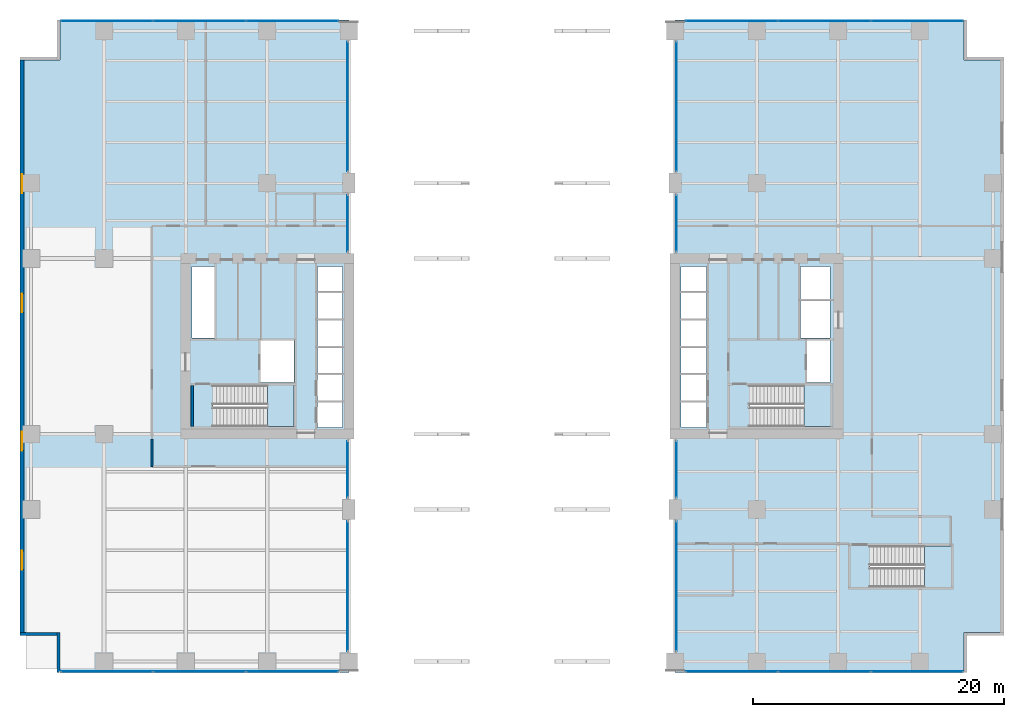
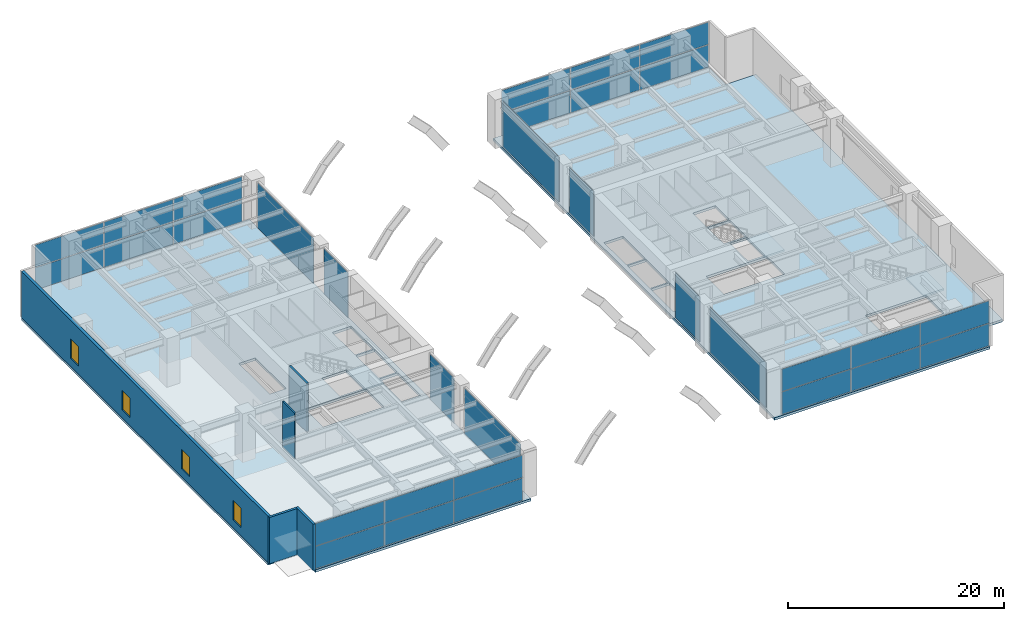
# One storey, part 10 of 18: 32 plates, 5 slabs, 5 walls, 4 windows, 4 openings, 15 elements without a shape of their own.
"""IFC4 building model written with IfcOpenShell, lengths in metres."""

from ifc_helpers import new_model, si_unit, direction, frame, frame_2d, origin, origin_2d, place, context, subcontext, project, spatial, polyline, rectangle, outline, extrude, material, layer, layer_set, type_object, element, fill, aggregate, save


model = new_model("IFC4")

# Units and contexts
model_context = context("Model", 3, precision=1e-05, world=origin(), true_north=direction((0.0, 1.0)))
body_context = subcontext(model_context, "Body", "Model", "MODEL_VIEW")
ifc_project = project(units=[si_unit("LENGTHUNIT", "METRE"), si_unit("AREAUNIT", "SQUARE_METRE"), si_unit("VOLUMEUNIT", "CUBIC_METRE"), si_unit("PLANEANGLEUNIT", "RADIAN"), si_unit("MASSUNIT", "GRAM", prefix="KILO")], contexts=[model_context])

# Site, building, storey
site_placement = place(None, origin())
site = spatial("IfcSite", under=ifc_project, at=site_placement, CompositionType="ELEMENT")
building_placement = place(site_placement, origin())
building = spatial("IfcBuilding", under=site, at=building_placement, Name="Putna Gate Headquarters", CompositionType="ELEMENT")
storey_placement = place(building_placement, frame((0.0, 0.0, 11.5)))
storey = spatial("IfcBuildingStorey", under=building, at=storey_placement, Name="L02", CompositionType="ELEMENT", Elevation=11.5)

# Stair, slab
ifc_material_1 = material(Name="Concrete C40/50", Category="concrete")
stair_type_1 = type_object("IfcStairType", Name="STAIR-ST1", PredefinedType="HALF_TURN_STAIR", material=ifc_material_1)
stair_1_placement = place(storey_placement, origin())
stair_1 = element("IfcStair", 1, at=stair_1_placement, inside=storey, type_object=stair_type_1, Name="L02 West Core Exit Stair ST1", PredefinedType="HALF_TURN_STAIR")
ifc_layer_1 = layer(ifc_material_1, 0.199951171875)
ifc_layer_set_1 = layer_set([ifc_layer_1], Name="Concrete C40/50")
slab_type_1 = type_object("IfcSlabType", Name="LANDING-ST1", PredefinedType="LANDING", material=ifc_layer_set_1)
slab_1_placement = place(storey_placement, frame((0.0, 0.0, 2.550048828125)))
slab_1 = element("IfcSlab", 2, at=slab_1_placement, type_object=slab_type_1, Name="ST1 landing 1", PredefinedType="LANDING", context=body_context, shape_type="SweptSolid", body=[
    extrude(outline(polyline([(19.5, 19.60009765625), (21.64990234375, 19.60009765625), (21.64990234375, 22.89990234375), (19.5, 22.89990234375), (19.5, 19.60009765625)])), origin(), (0.0, 0.0, 1.0), 0.199951171875),
])
aggregate(stair_1, [slab_1])

stair_type_2 = type_object("IfcStairType", Name="STAIR-ST2", PredefinedType="HALF_TURN_STAIR", material=ifc_material_1)
stair_2_placement = place(storey_placement, origin())
stair_2 = element("IfcStair", 3, at=stair_2_placement, inside=storey, type_object=stair_type_2, Name="L02 East Core Exit Stair ST2", PredefinedType="HALF_TURN_STAIR")
ifc_layer_2 = layer(ifc_material_1, 0.199951171875)
ifc_layer_set_2 = layer_set([ifc_layer_2], Name="Concrete C40/50")
slab_type_2 = type_object("IfcSlabType", Name="LANDING-ST2", PredefinedType="LANDING", material=ifc_layer_set_2)
slab_2_placement = place(storey_placement, frame((0.0, 0.0, 2.550048828125)))
slab_2 = element("IfcSlab", 4, at=slab_2_placement, type_object=slab_type_2, Name="ST2 landing 1", PredefinedType="LANDING", context=body_context, shape_type="SweptSolid", body=[
    extrude(outline(polyline([(62.25, 19.60009765625), (64.39990234375, 19.60009765625), (64.39990234375, 22.89990234375), (62.25, 22.89990234375), (62.25, 19.60009765625)])), origin(), (0.0, 0.0, 1.0), 0.199951171875),
])
aggregate(stair_2, [slab_2])

stair_type_3 = type_object("IfcStairType", Name="STAIR-ST3", PredefinedType="HALF_TURN_STAIR", material=ifc_material_1)
stair_3_placement = place(storey_placement, origin())
stair_3 = element("IfcStair", 5, at=stair_3_placement, inside=storey, type_object=stair_type_3, Name="L02 Podium Escape Stair ST3", PredefinedType="HALF_TURN_STAIR")
ifc_layer_3 = layer(ifc_material_1, 0.199951171875)
ifc_layer_set_3 = layer_set([ifc_layer_3], Name="Concrete C40/50")
slab_type_3 = type_object("IfcSlabType", Name="LANDING-ST3", PredefinedType="LANDING", material=ifc_layer_set_3)
slab_3_placement = place(storey_placement, frame((0.0, 0.0, 2.550048828125)))
slab_3 = element("IfcSlab", 6, at=slab_3_placement, type_object=slab_type_3, Name="ST3 landing 1", PredefinedType="LANDING", context=body_context, shape_type="SweptSolid", body=[
    extrude(outline(polyline([(71.85009765625, 6.800048828125), (74.0, 6.800048828125), (74.0, 10.10009765625), (71.85009765625, 10.10009765625), (71.85009765625, 6.800048828125)])), origin(), (0.0, 0.0, 1.0), 0.199951171875),
])
aggregate(stair_3, [slab_3])

# Curtain wall, plate
ifc_material_2 = material(Name="Anodised bronze aluminium curtain wall", Category="aluminium")
ifc_layer_4 = layer(ifc_material_2, 0.179931640625)
ifc_layer_set_4 = layer_set([ifc_layer_4], Name="Anodised bronze aluminium curtain wall")
curtain_wall_type_1 = type_object("IfcCurtainWallType", Name="CW-SYS-ATR", PredefinedType="USERDEFINED", material=ifc_layer_set_4)
curtain_wall_1_placement = place(storey_placement, origin())
curtain_wall_1 = element("IfcCurtainWall", 7, at=curtain_wall_1_placement, inside=storey, type_object=curtain_wall_type_1, Name="L02 Arch Flank Glazing W-S1", ObjectType="ATRIUM GLAZING", PredefinedType="USERDEFINED")
ifc_material_3 = material(Name="Clear low-iron triple glazing", Category="glass")
ifc_layer_5 = layer(ifc_material_3, 0.0400390625)
ifc_layer_set_5 = layer_set([ifc_layer_5], Name="Clear low-iron triple glazing")
plate_type_1 = type_object("IfcPlateType", Name="PAN-CWP-AT", PredefinedType="CURTAIN_PANEL", material=ifc_layer_set_5)
plate_1_placement = place(storey_placement, frame((25.89990234375, 6.885009765625, 0.070068359375), z_axis=(0.0, 0.0, 1.0), x_axis=(0.0, 1.0, 0.0)))
plate_1 = element("IfcPlate", 8, at=plate_1_placement, type_object=plate_type_1, Name="CWS-AT panel 1.1", PredefinedType="CURTAIN_PANEL", context=body_context, shape_type="SweptSolid", body=[
    extrude(rectangle(XDim=10.330078125, YDim=0.0400390625, at=origin_2d()), origin(), (0.0, 0.0, 1.0), 5.080078125),
])
aggregate(curtain_wall_1, [plate_1])

curtain_wall_2_placement = place(storey_placement, origin())
curtain_wall_2 = element("IfcCurtainWall", 9, at=curtain_wall_2_placement, inside=storey, type_object=curtain_wall_type_1, Name="L02 Arch Flank Glazing W-S2", ObjectType="ATRIUM GLAZING", PredefinedType="USERDEFINED")
plate_2_placement = place(storey_placement, frame((25.89990234375, 16.199951171875, 0.070068359375), z_axis=(0.0, 0.0, 1.0), x_axis=(0.0, 1.0, 0.0)))
plate_2 = element("IfcPlate", 10, at=plate_2_placement, type_object=plate_type_1, Name="CWS-AT panel 1.1", PredefinedType="CURTAIN_PANEL", context=body_context, shape_type="SweptSolid", body=[
    extrude(rectangle(XDim=4.5, YDim=0.0400390625, at=origin_2d()), origin(), (0.0, 0.0, 1.0), 5.080078125),
])
aggregate(curtain_wall_2, [plate_2])

curtain_wall_3_placement = place(storey_placement, origin())
curtain_wall_3 = element("IfcCurtainWall", 11, at=curtain_wall_3_placement, inside=storey, type_object=curtain_wall_type_1, Name="L02 Arch Flank Glazing W-N1", ObjectType="ATRIUM GLAZING", PredefinedType="USERDEFINED")
plate_3_placement = place(storey_placement, frame((25.89990234375, 35.800048828125, 0.070068359375), z_axis=(0.0, 0.0, 1.0), x_axis=(0.0, 1.0, 0.0)))
plate_3 = element("IfcPlate", 12, at=plate_3_placement, type_object=plate_type_1, Name="CWS-AT panel 1.1", PredefinedType="CURTAIN_PANEL", context=body_context, shape_type="SweptSolid", body=[
    extrude(rectangle(XDim=4.5, YDim=0.0400390625, at=origin_2d()), origin(), (0.0, 0.0, 1.0), 5.080078125),
])
aggregate(curtain_wall_3, [plate_3])

curtain_wall_4_placement = place(storey_placement, origin())
curtain_wall_4 = element("IfcCurtainWall", 13, at=curtain_wall_4_placement, inside=storey, type_object=curtain_wall_type_1, Name="L02 Arch Flank Glazing W-N2", ObjectType="ATRIUM GLAZING", PredefinedType="USERDEFINED")
plate_4_placement = place(storey_placement, frame((25.89990234375, 45.114990234375, 0.070068359375), z_axis=(0.0, 0.0, 1.0), x_axis=(0.0, 1.0, 0.0)))
plate_4 = element("IfcPlate", 14, at=plate_4_placement, type_object=plate_type_1, Name="CWS-AT panel 1.1", PredefinedType="CURTAIN_PANEL", context=body_context, shape_type="SweptSolid", body=[
    extrude(rectangle(XDim=10.330078125, YDim=0.0400390625, at=origin_2d()), origin(), (0.0, 0.0, 1.0), 5.080078125),
])
aggregate(curtain_wall_4, [plate_4])

curtain_wall_5_placement = place(storey_placement, origin())
curtain_wall_5 = element("IfcCurtainWall", 15, at=curtain_wall_5_placement, inside=storey, type_object=curtain_wall_type_1, Name="L02 Arch Flank Glazing E-S1", ObjectType="ATRIUM GLAZING", PredefinedType="USERDEFINED")
plate_5_placement = place(storey_placement, frame((52.10009765625, 6.885009765625, 0.070068359375), z_axis=(0.0, 0.0, 1.0), x_axis=(0.0, 1.0, 0.0)))
plate_5 = element("IfcPlate", 16, at=plate_5_placement, type_object=plate_type_1, Name="CWS-AT panel 1.1", PredefinedType="CURTAIN_PANEL", context=body_context, shape_type="SweptSolid", body=[
    extrude(rectangle(XDim=10.330078125, YDim=0.0400390625, at=origin_2d()), origin(), (0.0, 0.0, 1.0), 5.080078125),
])
aggregate(curtain_wall_5, [plate_5])

curtain_wall_6_placement = place(storey_placement, origin())
curtain_wall_6 = element("IfcCurtainWall", 17, at=curtain_wall_6_placement, inside=storey, type_object=curtain_wall_type_1, Name="L02 Arch Flank Glazing E-S2", ObjectType="ATRIUM GLAZING", PredefinedType="USERDEFINED")
plate_6_placement = place(storey_placement, frame((52.10009765625, 16.199951171875, 0.070068359375), z_axis=(0.0, 0.0, 1.0), x_axis=(0.0, 1.0, 0.0)))
plate_6 = element("IfcPlate", 18, at=plate_6_placement, type_object=plate_type_1, Name="CWS-AT panel 1.1", PredefinedType="CURTAIN_PANEL", context=body_context, shape_type="SweptSolid", body=[
    extrude(rectangle(XDim=4.5, YDim=0.0400390625, at=origin_2d()), origin(), (0.0, 0.0, 1.0), 5.080078125),
])
aggregate(curtain_wall_6, [plate_6])

curtain_wall_7_placement = place(storey_placement, origin())
curtain_wall_7 = element("IfcCurtainWall", 19, at=curtain_wall_7_placement, inside=storey, type_object=curtain_wall_type_1, Name="L02 Arch Flank Glazing E-N1", ObjectType="ATRIUM GLAZING", PredefinedType="USERDEFINED")
plate_7_placement = place(storey_placement, frame((52.10009765625, 35.800048828125, 0.070068359375), z_axis=(0.0, 0.0, 1.0), x_axis=(0.0, 1.0, 0.0)))
plate_7 = element("IfcPlate", 20, at=plate_7_placement, type_object=plate_type_1, Name="CWS-AT panel 1.1", PredefinedType="CURTAIN_PANEL", context=body_context, shape_type="SweptSolid", body=[
    extrude(rectangle(XDim=4.5, YDim=0.0400390625, at=origin_2d()), origin(), (0.0, 0.0, 1.0), 5.080078125),
])
aggregate(curtain_wall_7, [plate_7])

curtain_wall_8_placement = place(storey_placement, origin())
curtain_wall_8 = element("IfcCurtainWall", 21, at=curtain_wall_8_placement, inside=storey, type_object=curtain_wall_type_1, Name="L02 Arch Flank Glazing E-N2", ObjectType="ATRIUM GLAZING", PredefinedType="USERDEFINED")
plate_8_placement = place(storey_placement, frame((52.10009765625, 45.114990234375, 0.070068359375), z_axis=(0.0, 0.0, 1.0), x_axis=(0.0, 1.0, 0.0)))
plate_8 = element("IfcPlate", 22, at=plate_8_placement, type_object=plate_type_1, Name="CWS-AT panel 1.1", PredefinedType="CURTAIN_PANEL", context=body_context, shape_type="SweptSolid", body=[
    extrude(rectangle(XDim=10.330078125, YDim=0.0400390625, at=origin_2d()), origin(), (0.0, 0.0, 1.0), 5.080078125),
])
aggregate(curtain_wall_8, [plate_8])

# Curtain wall, plates
ifc_layer_6 = layer(ifc_material_2, 0.179931640625)
ifc_layer_set_6 = layer_set([ifc_layer_6], Name="Anodised bronze aluminium curtain wall")
curtain_wall_type_2 = type_object("IfcCurtainWallType", Name="CW-SYS-POD", PredefinedType="USERDEFINED", material=ifc_layer_set_6)
curtain_wall_9_placement = place(storey_placement, origin())
curtain_wall_9 = element("IfcCurtainWall", 23, at=curtain_wall_9_placement, inside=storey, type_object=curtain_wall_type_2, Name="L02 South West Curtain Wall", ObjectType="STICK CURTAIN WALL", PredefinedType="USERDEFINED")
ifc_material_4 = material(Name="Solar-control triple low-E glass", Category="glass")
ifc_layer_7 = layer(ifc_material_4, 0.035888671875)
ifc_layer_set_7 = layer_set([ifc_layer_7], Name="Solar-control triple low-E glass")
plate_type_2 = type_object("IfcPlateType", Name="PAN-CWP-P", PredefinedType="CURTAIN_PANEL", material=ifc_layer_set_7)
plate_9_placement = place(storey_placement, frame((6.720947265625, 0.080078125, 0.070068359375), z_axis=(0.0, 0.0, 1.0), x_axis=(1.0, 0.0, 0.0)))
plate_9 = element("IfcPlate", 24, at=plate_9_placement, type_object=plate_type_2, Name="CWS-P panel 1.1", PredefinedType="CURTAIN_PANEL", context=body_context, shape_type="SweptSolid", body=[
    extrude(rectangle(XDim=7.3017578125, YDim=0.035888671875, at=origin_2d()), origin(), (0.0, 0.0, 1.0), 2.5048828125),
])
plate_10_placement = place(storey_placement, frame((6.720947265625, 0.080078125, 2.64501953125), z_axis=(0.0, 0.0, 1.0), x_axis=(1.0, 0.0, 0.0)))
plate_10 = element("IfcPlate", 25, at=plate_10_placement, type_object=plate_type_2, Name="CWS-P panel 1.2", PredefinedType="CURTAIN_PANEL", context=body_context, shape_type="SweptSolid", body=[
    extrude(rectangle(XDim=7.3017578125, YDim=0.035888671875, at=origin_2d()), origin(), (0.0, 0.0, 1.0), 2.5048828125),
])
plate_11_placement = place(storey_placement, frame((14.110107421875, 0.080078125, 0.070068359375), z_axis=(0.0, 0.0, 1.0), x_axis=(1.0, 0.0, 0.0)))
plate_11 = element("IfcPlate", 26, at=plate_11_placement, type_object=plate_type_2, Name="CWS-P panel 2.1", PredefinedType="CURTAIN_PANEL", context=body_context, shape_type="SweptSolid", body=[
    extrude(rectangle(XDim=7.336669921875, YDim=0.035888671875, at=origin_2d()), origin(), (0.0, 0.0, 1.0), 2.5048828125),
])
plate_12_placement = place(storey_placement, frame((14.110107421875, 0.080078125, 2.64501953125), z_axis=(0.0, 0.0, 1.0), x_axis=(1.0, 0.0, 0.0)))
plate_12 = element("IfcPlate", 27, at=plate_12_placement, type_object=plate_type_2, Name="CWS-P panel 2.2", PredefinedType="CURTAIN_PANEL", context=body_context, shape_type="SweptSolid", body=[
    extrude(rectangle(XDim=7.336669921875, YDim=0.035888671875, at=origin_2d()), origin(), (0.0, 0.0, 1.0), 2.5048828125),
])
plate_13_placement = place(storey_placement, frame((21.499267578125, 0.080078125, 0.070068359375), z_axis=(0.0, 0.0, 1.0), x_axis=(1.0, 0.0, 0.0)))
plate_13 = element("IfcPlate", 28, at=plate_13_placement, type_object=plate_type_2, Name="CWS-P panel 3.1", PredefinedType="CURTAIN_PANEL", context=body_context, shape_type="SweptSolid", body=[
    extrude(rectangle(XDim=7.3017578125, YDim=0.035888671875, at=origin_2d()), origin(), (0.0, 0.0, 1.0), 2.5048828125),
])
plate_14_placement = place(storey_placement, frame((21.499267578125, 0.080078125, 2.64501953125), z_axis=(0.0, 0.0, 1.0), x_axis=(1.0, 0.0, 0.0)))
plate_14 = element("IfcPlate", 29, at=plate_14_placement, type_object=plate_type_2, Name="CWS-P panel 3.2", PredefinedType="CURTAIN_PANEL", context=body_context, shape_type="SweptSolid", body=[
    extrude(rectangle(XDim=7.3017578125, YDim=0.035888671875, at=origin_2d()), origin(), (0.0, 0.0, 1.0), 2.5048828125),
])
aggregate(curtain_wall_9, [plate_9, plate_10, plate_11, plate_12, plate_13, plate_14])

curtain_wall_10_placement = place(storey_placement, origin())
curtain_wall_10 = element("IfcCurtainWall", 30, at=curtain_wall_10_placement, inside=storey, type_object=curtain_wall_type_2, Name="L02 North West Curtain Wall", ObjectType="STICK CURTAIN WALL", PredefinedType="USERDEFINED")
plate_15_placement = place(storey_placement, frame((6.720947265625, 51.919921875, 0.070068359375), z_axis=(0.0, 0.0, 1.0), x_axis=(1.0, 0.0, 0.0)))
plate_15 = element("IfcPlate", 31, at=plate_15_placement, type_object=plate_type_2, Name="CWS-P panel 1.1", PredefinedType="CURTAIN_PANEL", context=body_context, shape_type="SweptSolid", body=[
    extrude(rectangle(XDim=7.3017578125, YDim=0.035888671875, at=origin_2d()), origin(), (0.0, 0.0, 1.0), 2.5048828125),
])
plate_16_placement = place(storey_placement, frame((6.720947265625, 51.919921875, 2.64501953125), z_axis=(0.0, 0.0, 1.0), x_axis=(1.0, 0.0, 0.0)))
plate_16 = element("IfcPlate", 32, at=plate_16_placement, type_object=plate_type_2, Name="CWS-P panel 1.2", PredefinedType="CURTAIN_PANEL", context=body_context, shape_type="SweptSolid", body=[
    extrude(rectangle(XDim=7.3017578125, YDim=0.035888671875, at=origin_2d()), origin(), (0.0, 0.0, 1.0), 2.5048828125),
])
plate_17_placement = place(storey_placement, frame((14.110107421875, 51.919921875, 0.070068359375), z_axis=(0.0, 0.0, 1.0), x_axis=(1.0, 0.0, 0.0)))
plate_17 = element("IfcPlate", 33, at=plate_17_placement, type_object=plate_type_2, Name="CWS-P panel 2.1", PredefinedType="CURTAIN_PANEL", context=body_context, shape_type="SweptSolid", body=[
    extrude(rectangle(XDim=7.336669921875, YDim=0.035888671875, at=origin_2d()), origin(), (0.0, 0.0, 1.0), 2.5048828125),
])
plate_18_placement = place(storey_placement, frame((14.110107421875, 51.919921875, 2.64501953125), z_axis=(0.0, 0.0, 1.0), x_axis=(1.0, 0.0, 0.0)))
plate_18 = element("IfcPlate", 34, at=plate_18_placement, type_object=plate_type_2, Name="CWS-P panel 2.2", PredefinedType="CURTAIN_PANEL", context=body_context, shape_type="SweptSolid", body=[
    extrude(rectangle(XDim=7.336669921875, YDim=0.035888671875, at=origin_2d()), origin(), (0.0, 0.0, 1.0), 2.5048828125),
])
plate_19_placement = place(storey_placement, frame((21.499267578125, 51.919921875, 0.070068359375), z_axis=(0.0, 0.0, 1.0), x_axis=(1.0, 0.0, 0.0)))
plate_19 = element("IfcPlate", 35, at=plate_19_placement, type_object=plate_type_2, Name="CWS-P panel 3.1", PredefinedType="CURTAIN_PANEL", context=body_context, shape_type="SweptSolid", body=[
    extrude(rectangle(XDim=7.3017578125, YDim=0.035888671875, at=origin_2d()), origin(), (0.0, 0.0, 1.0), 2.5048828125),
])
plate_20_placement = place(storey_placement, frame((21.499267578125, 51.919921875, 2.64501953125), z_axis=(0.0, 0.0, 1.0), x_axis=(1.0, 0.0, 0.0)))
plate_20 = element("IfcPlate", 36, at=plate_20_placement, type_object=plate_type_2, Name="CWS-P panel 3.2", PredefinedType="CURTAIN_PANEL", context=body_context, shape_type="SweptSolid", body=[
    extrude(rectangle(XDim=7.3017578125, YDim=0.035888671875, at=origin_2d()), origin(), (0.0, 0.0, 1.0), 2.5048828125),
])
aggregate(curtain_wall_10, [plate_15, plate_16, plate_17, plate_18, plate_19, plate_20])

curtain_wall_11_placement = place(storey_placement, origin())
curtain_wall_11 = element("IfcCurtainWall", 37, at=curtain_wall_11_placement, inside=storey, type_object=curtain_wall_type_2, Name="L02 South East Curtain Wall", ObjectType="STICK CURTAIN WALL", PredefinedType="USERDEFINED")
plate_21_placement = place(storey_placement, frame((56.500732421875, 0.080078125, 0.070068359375), z_axis=(0.0, 0.0, 1.0), x_axis=(1.0, 0.0, 0.0)))
plate_21 = element("IfcPlate", 38, at=plate_21_placement, type_object=plate_type_2, Name="CWS-P panel 1.1", PredefinedType="CURTAIN_PANEL", context=body_context, shape_type="SweptSolid", body=[
    extrude(rectangle(XDim=7.3017578125, YDim=0.035888671875, at=origin_2d()), origin(), (0.0, 0.0, 1.0), 2.5048828125),
])
plate_22_placement = place(storey_placement, frame((56.500732421875, 0.080078125, 2.64501953125), z_axis=(0.0, 0.0, 1.0), x_axis=(1.0, 0.0, 0.0)))
plate_22 = element("IfcPlate", 39, at=plate_22_placement, type_object=plate_type_2, Name="CWS-P panel 1.2", PredefinedType="CURTAIN_PANEL", context=body_context, shape_type="SweptSolid", body=[
    extrude(rectangle(XDim=7.3017578125, YDim=0.035888671875, at=origin_2d()), origin(), (0.0, 0.0, 1.0), 2.5048828125),
])
plate_23_placement = place(storey_placement, frame((63.889892578125, 0.080078125, 0.070068359375), z_axis=(0.0, 0.0, 1.0), x_axis=(1.0, 0.0, 0.0)))
plate_23 = element("IfcPlate", 40, at=plate_23_placement, type_object=plate_type_2, Name="CWS-P panel 2.1", PredefinedType="CURTAIN_PANEL", context=body_context, shape_type="SweptSolid", body=[
    extrude(rectangle(XDim=7.336669921875, YDim=0.035888671875, at=origin_2d()), origin(), (0.0, 0.0, 1.0), 2.5048828125),
])
plate_24_placement = place(storey_placement, frame((63.889892578125, 0.080078125, 2.64501953125), z_axis=(0.0, 0.0, 1.0), x_axis=(1.0, 0.0, 0.0)))
plate_24 = element("IfcPlate", 41, at=plate_24_placement, type_object=plate_type_2, Name="CWS-P panel 2.2", PredefinedType="CURTAIN_PANEL", context=body_context, shape_type="SweptSolid", body=[
    extrude(rectangle(XDim=7.336669921875, YDim=0.035888671875, at=origin_2d()), origin(), (0.0, 0.0, 1.0), 2.5048828125),
])
plate_25_placement = place(storey_placement, frame((71.279052734375, 0.080078125, 0.070068359375), z_axis=(0.0, 0.0, 1.0), x_axis=(1.0, 0.0, 0.0)))
plate_25 = element("IfcPlate", 42, at=plate_25_placement, type_object=plate_type_2, Name="CWS-P panel 3.1", PredefinedType="CURTAIN_PANEL", context=body_context, shape_type="SweptSolid", body=[
    extrude(rectangle(XDim=7.3017578125, YDim=0.035888671875, at=origin_2d()), origin(), (0.0, 0.0, 1.0), 2.5048828125),
])
plate_26_placement = place(storey_placement, frame((71.279052734375, 0.080078125, 2.64501953125), z_axis=(0.0, 0.0, 1.0), x_axis=(1.0, 0.0, 0.0)))
plate_26 = element("IfcPlate", 43, at=plate_26_placement, type_object=plate_type_2, Name="CWS-P panel 3.2", PredefinedType="CURTAIN_PANEL", context=body_context, shape_type="SweptSolid", body=[
    extrude(rectangle(XDim=7.3017578125, YDim=0.035888671875, at=origin_2d()), origin(), (0.0, 0.0, 1.0), 2.5048828125),
])
aggregate(curtain_wall_11, [plate_21, plate_22, plate_23, plate_24, plate_25, plate_26])

curtain_wall_12_placement = place(storey_placement, origin())
curtain_wall_12 = element("IfcCurtainWall", 44, at=curtain_wall_12_placement, inside=storey, type_object=curtain_wall_type_2, Name="L02 North East Curtain Wall", ObjectType="STICK CURTAIN WALL", PredefinedType="USERDEFINED")
plate_27_placement = place(storey_placement, frame((56.500732421875, 51.919921875, 0.070068359375), z_axis=(0.0, 0.0, 1.0), x_axis=(1.0, 0.0, 0.0)))
plate_27 = element("IfcPlate", 45, at=plate_27_placement, type_object=plate_type_2, Name="CWS-P panel 1.1", PredefinedType="CURTAIN_PANEL", context=body_context, shape_type="SweptSolid", body=[
    extrude(rectangle(XDim=7.3017578125, YDim=0.035888671875, at=origin_2d()), origin(), (0.0, 0.0, 1.0), 2.5048828125),
])
plate_28_placement = place(storey_placement, frame((56.500732421875, 51.919921875, 2.64501953125), z_axis=(0.0, 0.0, 1.0), x_axis=(1.0, 0.0, 0.0)))
plate_28 = element("IfcPlate", 46, at=plate_28_placement, type_object=plate_type_2, Name="CWS-P panel 1.2", PredefinedType="CURTAIN_PANEL", context=body_context, shape_type="SweptSolid", body=[
    extrude(rectangle(XDim=7.3017578125, YDim=0.035888671875, at=origin_2d()), origin(), (0.0, 0.0, 1.0), 2.5048828125),
])
plate_29_placement = place(storey_placement, frame((63.889892578125, 51.919921875, 0.070068359375), z_axis=(0.0, 0.0, 1.0), x_axis=(1.0, 0.0, 0.0)))
plate_29 = element("IfcPlate", 47, at=plate_29_placement, type_object=plate_type_2, Name="CWS-P panel 2.1", PredefinedType="CURTAIN_PANEL", context=body_context, shape_type="SweptSolid", body=[
    extrude(rectangle(XDim=7.336669921875, YDim=0.035888671875, at=origin_2d()), origin(), (0.0, 0.0, 1.0), 2.5048828125),
])
plate_30_placement = place(storey_placement, frame((63.889892578125, 51.919921875, 2.64501953125), z_axis=(0.0, 0.0, 1.0), x_axis=(1.0, 0.0, 0.0)))
plate_30 = element("IfcPlate", 48, at=plate_30_placement, type_object=plate_type_2, Name="CWS-P panel 2.2", PredefinedType="CURTAIN_PANEL", context=body_context, shape_type="SweptSolid", body=[
    extrude(rectangle(XDim=7.336669921875, YDim=0.035888671875, at=origin_2d()), origin(), (0.0, 0.0, 1.0), 2.5048828125),
])
plate_31_placement = place(storey_placement, frame((71.279052734375, 51.919921875, 0.070068359375), z_axis=(0.0, 0.0, 1.0), x_axis=(1.0, 0.0, 0.0)))
plate_31 = element("IfcPlate", 49, at=plate_31_placement, type_object=plate_type_2, Name="CWS-P panel 3.1", PredefinedType="CURTAIN_PANEL", context=body_context, shape_type="SweptSolid", body=[
    extrude(rectangle(XDim=7.3017578125, YDim=0.035888671875, at=origin_2d()), origin(), (0.0, 0.0, 1.0), 2.5048828125),
])
plate_32_placement = place(storey_placement, frame((71.279052734375, 51.919921875, 2.64501953125), z_axis=(0.0, 0.0, 1.0), x_axis=(1.0, 0.0, 0.0)))
plate_32 = element("IfcPlate", 50, at=plate_32_placement, type_object=plate_type_2, Name="CWS-P panel 3.2", PredefinedType="CURTAIN_PANEL", context=body_context, shape_type="SweptSolid", body=[
    extrude(rectangle(XDim=7.3017578125, YDim=0.035888671875, at=origin_2d()), origin(), (0.0, 0.0, 1.0), 2.5048828125),
])
aggregate(curtain_wall_12, [plate_27, plate_28, plate_29, plate_30, plate_31, plate_32])

# Slabs
ifc_layer_8 = layer(ifc_material_1, 0.280029296875)
ifc_layer_set_8 = layer_set([ifc_layer_8], Name="Concrete C40/50")
slab_type_4 = type_object("IfcSlabType", Name="SLAB-POD-280", PredefinedType="FLOOR", material=ifc_layer_set_8)
slab_4_placement = place(storey_placement, frame((0.0, 0.0, -0.280029296875)))
element("IfcSlab", 51, at=slab_4_placement, inside=storey, type_object=slab_type_4, Name="L02 West Podium Wing Floor Slab", PredefinedType="FLOOR", context=body_context, shape_type="SweptSolid", body=[
    extrude(outline(polyline([(3.0, 0.0), (26.0, 0.0), (26.0, 52.0), (3.0, 52.0), (3.0, 48.800048828125), (-0.199951171875, 48.800048828125), (-0.199951171875, 3.199951171875), (3.0, 3.199951171875), (3.0, 0.0)]), holes=[polyline([(15.1650390625, 19.60009765625), (21.64990234375, 19.60009765625), (21.64990234375, 22.89990234375), (15.1650390625, 22.89990234375), (15.1650390625, 19.60009765625)]), polyline([(13.52001953125, 26.659912109375), (15.280029296875, 26.659912109375), (15.280029296875, 32.35009765625), (13.52001953125, 32.35009765625), (13.52001953125, 26.659912109375)]), polyline([(18.97998046875, 23.1201171875), (21.6201171875, 23.1201171875), (21.6201171875, 26.4599609375), (18.97998046875, 26.4599609375), (18.97998046875, 23.1201171875)]), polyline([(23.5, 19.52001953125), (25.5, 19.52001953125), (25.5, 23.699951171875), (23.5, 23.699951171875), (23.5, 19.52001953125)]), polyline([(23.5, 23.860107421875), (25.5, 23.860107421875), (25.5, 28.0400390625), (23.5, 28.0400390625), (23.5, 23.860107421875)]), polyline([(23.5, 28.199951171875), (25.5, 28.199951171875), (25.5, 32.35009765625), (23.5, 32.35009765625), (23.5, 28.199951171875)])]), origin(), (0.0, 0.0, 1.0), 0.280029296875),
])
slab_5_placement = place(storey_placement, frame((0.0, 0.0, -0.280029296875)))
element("IfcSlab", 52, at=slab_5_placement, inside=storey, type_object=slab_type_4, Name="L02 East Podium Wing Floor Slab", PredefinedType="FLOOR", context=body_context, shape_type="SweptSolid", body=[
    extrude(outline(polyline([(52.0, 0.0), (75.0, 0.0), (75.0, 3.199951171875), (78.199951171875, 3.199951171875), (78.199951171875, 48.800048828125), (75.0, 48.800048828125), (75.0, 52.0), (52.0, 52.0), (52.0, 0.0)]), holes=[polyline([(57.9150390625, 19.60009765625), (64.39990234375, 19.60009765625), (64.39990234375, 22.89990234375), (57.9150390625, 22.89990234375), (57.9150390625, 19.60009765625)]), polyline([(67.514892578125, 6.800048828125), (74.0, 6.800048828125), (74.0, 10.10009765625), (67.514892578125, 10.10009765625), (67.514892578125, 6.800048828125)]), polyline([(61.969970703125, 29.780029296875), (64.35009765625, 29.780029296875), (64.35009765625, 32.35009765625), (61.969970703125, 32.35009765625), (61.969970703125, 29.780029296875)]), polyline([(62.52001953125, 23.1201171875), (64.35009765625, 23.1201171875), (64.35009765625, 26.4599609375), (62.52001953125, 26.4599609375), (62.52001953125, 23.1201171875)]), polyline([(61.969970703125, 26.659912109375), (64.35009765625, 26.659912109375), (64.35009765625, 29.6201171875), (61.969970703125, 29.6201171875), (61.969970703125, 26.659912109375)]), polyline([(52.47998046875, 19.52001953125), (54.5, 19.52001953125), (54.5, 23.699951171875), (52.47998046875, 23.699951171875), (52.47998046875, 19.52001953125)]), polyline([(52.47998046875, 23.860107421875), (54.5, 23.860107421875), (54.5, 28.0400390625), (52.47998046875, 28.0400390625), (52.47998046875, 23.860107421875)]), polyline([(52.47998046875, 28.199951171875), (54.5, 28.199951171875), (54.5, 32.35009765625), (52.47998046875, 32.35009765625), (52.47998046875, 28.199951171875)])]), origin(), (0.0, 0.0, 1.0), 0.280029296875),
])

# Wall, openings, windows
ifc_material_5 = material(Name="Precast concrete C40/50", Category="concrete")
ifc_layer_9 = layer(ifc_material_5, 0.300048828125)
ifc_layer_set_9 = layer_set([ifc_layer_9], Name="Precast concrete C40/50")
wall_type_1 = type_object("IfcWallType", Name="WALL-EXT-POD-300", PredefinedType="STANDARD", material=ifc_layer_set_9)
wall_1_placement = place(storey_placement, frame((-0.050048828125, 3.199951171875, 0.0), z_axis=(0.0, 0.0, 1.0), x_axis=(0.0, 1.0, 0.0)))
wall_1 = element("IfcWall", 53, at=wall_1_placement, inside=storey, type_object=wall_type_1, Name="L02 W Podium Precast Facade Wall", PredefinedType="STANDARD", context=body_context, shape_type="SweptSolid", body=[
    extrude(rectangle(XDim=45.60009765625, YDim=0.300048828125, at=frame_2d((22.800048828125, 0.0))), origin(), (0.0, 0.0, 1.0), 5.219970703125),
])
opening_1_placement = place(wall_1_placement, frame((5.0, 0.0, 0.89990234375)))
opening_1 = element("IfcOpeningElement", 54, at=opening_1_placement, cuts=wall_1, Name="Opening WN-2", PredefinedType="OPENING", context=body_context, shape_type="SweptSolid", body=[
    extrude(rectangle(XDim=1.5, YDim=2.199951171875, at=frame_2d((0.75, 1.10009765625))), frame((0.0, 0.159912109375, 0.0), z_axis=(0.0, -1.0, 0.0), x_axis=(1.0, 0.0, 0.0)), (0.0, 0.0, 1.0), 0.320068359375),
])
opening_2_placement = place(wall_1_placement, frame((14.5, 0.0, 0.89990234375)))
opening_2 = element("IfcOpeningElement", 55, at=opening_2_placement, cuts=wall_1, Name="Opening WN-2", PredefinedType="OPENING", context=body_context, shape_type="SweptSolid", body=[
    extrude(rectangle(XDim=1.5, YDim=2.199951171875, at=frame_2d((0.75, 1.10009765625))), frame((0.0, 0.159912109375, 0.0), z_axis=(0.0, -1.0, 0.0), x_axis=(1.0, 0.0, 0.0)), (0.0, 0.0, 1.0), 0.320068359375),
])
opening_3_placement = place(wall_1_placement, frame((25.5, 0.0, 0.89990234375)))
opening_3 = element("IfcOpeningElement", 56, at=opening_3_placement, cuts=wall_1, Name="Opening WN-2", PredefinedType="OPENING", context=body_context, shape_type="SweptSolid", body=[
    extrude(rectangle(XDim=1.5, YDim=2.199951171875, at=frame_2d((0.75, 1.10009765625))), frame((0.0, 0.159912109375, 0.0), z_axis=(0.0, -1.0, 0.0), x_axis=(1.0, 0.0, 0.0)), (0.0, 0.0, 1.0), 0.320068359375),
])
opening_4_placement = place(wall_1_placement, frame((35.0, 0.0, 0.89990234375)))
opening_4 = element("IfcOpeningElement", 57, at=opening_4_placement, cuts=wall_1, Name="Opening WN-2", PredefinedType="OPENING", context=body_context, shape_type="SweptSolid", body=[
    extrude(rectangle(XDim=1.5, YDim=2.199951171875, at=frame_2d((0.75, 1.10009765625))), frame((0.0, 0.159912109375, 0.0), z_axis=(0.0, -1.0, 0.0), x_axis=(1.0, 0.0, 0.0)), (0.0, 0.0, 1.0), 0.320068359375),
])
ifc_material_6 = material(Name="Triple low-E insulated glazing in bronze aluminium frame", Category="aluminium")
window_type = type_object("IfcWindowType", Name="WIN-EXT-1500x2200", PartitioningType="SINGLE_PANEL", PredefinedType="WINDOW", material=ifc_material_6)
window_1_placement = place(opening_1_placement, origin())
window_1 = element("IfcWindow", 58, at=window_1_placement, inside=storey, type_object=window_type, Name="L02 W Vision Window 1", OverallHeight=2.199951171875, OverallWidth=1.5, PartitioningType="SINGLE_PANEL", PredefinedType="WINDOW", context=body_context, shape_type="SweptSolid", body=[
    extrude(rectangle(XDim=1.5, YDim=2.199951171875, at=frame_2d((0.75, 1.10009765625))), frame((0.0, 0.030029296875, 0.0), z_axis=(0.0, -1.0, 0.0), x_axis=(1.0, 0.0, 0.0)), (0.0, 0.0, 1.0), 0.06005859375),
])
fill(opening_1, window_1)
window_2_placement = place(opening_2_placement, origin())
window_2 = element("IfcWindow", 59, at=window_2_placement, inside=storey, type_object=window_type, Name="L02 W Vision Window 2", OverallHeight=2.199951171875, OverallWidth=1.5, PartitioningType="SINGLE_PANEL", PredefinedType="WINDOW", context=body_context, shape_type="SweptSolid", body=[
    extrude(rectangle(XDim=1.5, YDim=2.199951171875, at=frame_2d((0.75, 1.10009765625))), frame((0.0, 0.030029296875, 0.0), z_axis=(0.0, -1.0, 0.0), x_axis=(1.0, 0.0, 0.0)), (0.0, 0.0, 1.0), 0.06005859375),
])
fill(opening_2, window_2)
window_3_placement = place(opening_3_placement, origin())
window_3 = element("IfcWindow", 60, at=window_3_placement, inside=storey, type_object=window_type, Name="L02 W Vision Window 3", OverallHeight=2.199951171875, OverallWidth=1.5, PartitioningType="SINGLE_PANEL", PredefinedType="WINDOW", context=body_context, shape_type="SweptSolid", body=[
    extrude(rectangle(XDim=1.5, YDim=2.199951171875, at=frame_2d((0.75, 1.10009765625))), frame((0.0, 0.030029296875, 0.0), z_axis=(0.0, -1.0, 0.0), x_axis=(1.0, 0.0, 0.0)), (0.0, 0.0, 1.0), 0.06005859375),
])
fill(opening_3, window_3)
window_4_placement = place(opening_4_placement, origin())
window_4 = element("IfcWindow", 61, at=window_4_placement, inside=storey, type_object=window_type, Name="L02 W Vision Window 4", OverallHeight=2.199951171875, OverallWidth=1.5, PartitioningType="SINGLE_PANEL", PredefinedType="WINDOW", context=body_context, shape_type="SweptSolid", body=[
    extrude(rectangle(XDim=1.5, YDim=2.199951171875, at=frame_2d((0.75, 1.10009765625))), frame((0.0, 0.030029296875, 0.0), z_axis=(0.0, -1.0, 0.0), x_axis=(1.0, 0.0, 0.0)), (0.0, 0.0, 1.0), 0.06005859375),
])
fill(opening_4, window_4)

# Walls
ifc_layer_10 = layer(ifc_material_5, 0.239990234375)
ifc_layer_set_10 = layer_set([ifc_layer_10], Name="Precast concrete C40/50")
wall_type_2 = type_object("IfcWallType", Name="WALL-EXT-TERR-240", PredefinedType="STANDARD", material=ifc_layer_set_10)
for number, where, z_axis, x_axis, name in (
    (62, (2.8798828125, 0.0, 0.0), (0.0, 0.0, 1.0), (0.0, 1.0, 0.0), "L02 Corner Notch Return Wall SW-V"),
    (63, (3.0, 3.080078125, 0.0), (0.0, 0.0, 1.0), (-1.0, 0.0, 0.0), "L02 Corner Notch Return Wall SW-H"),
):
    element("IfcWall", number, at=place(storey_placement, frame(where, z_axis=z_axis, x_axis=x_axis)), inside=storey, type_object=wall_type_2, Name=name, PredefinedType="STANDARD", context=body_context, shape_type="SweptSolid", body=[
        extrude(rectangle(XDim=3.199951171875, YDim=0.239990234375, at=frame_2d((1.60009765625, 0.0))), origin(), (0.0, 0.0, 1.0), 5.219970703125),
    ])
ifc_material_7 = material(Name="Fire-rated gypsum board on metal stud")
ifc_layer_11 = layer(ifc_material_7, 0.139892578125)
ifc_layer_set_11 = layer_set([ifc_layer_11], Name="Fire-rated gypsum board on metal stud")
wall_type_3 = type_object("IfcWallType", Name="WALL-PART-140", PredefinedType="PARTITIONING", material=ifc_layer_set_11)
wall_2_placement = place(storey_placement, frame((10.320068359375, 16.419921875, 0.0), z_axis=(0.0, 0.0, 1.0), x_axis=(0.0, 1.0, 0.0)))
element("IfcWall", 64, at=wall_2_placement, inside=storey, type_object=wall_type_3, Name="L02 Interior Wall PART-L02-WS-CAP", PredefinedType="PARTITIONING", context=body_context, shape_type="SweptSolid", body=[
    extrude(rectangle(XDim=2.18017578125, YDim=0.139892578125, at=frame_2d((1.090087890625, 0.0))), origin(), (0.0, 0.0, 1.0), 5.219970703125),
])
ifc_layer_12 = layer(ifc_material_1, 0.199951171875)
ifc_layer_set_12 = layer_set([ifc_layer_12], Name="Concrete C40/50")
wall_type_4 = type_object("IfcWallType", Name="WALL-SHAFT-RC200", PredefinedType="SHEAR", material=ifc_layer_set_12)
wall_3_placement = place(storey_placement, frame((13.510009765625, 19.610107421875, 0.0), z_axis=(0.0, 0.0, 1.0), x_axis=(0.0, 1.0, 0.0)))
element("IfcWall", 65, at=wall_3_placement, inside=storey, type_object=wall_type_4, Name="L02 Stair ST1 Structural Shaft Wall W", PredefinedType="SHEAR", context=body_context, shape_type="SweptSolid", body=[
    extrude(rectangle(XDim=3.27978515625, YDim=0.199951171875, at=frame_2d((1.639892578125, 0.0))), origin(), (0.0, 0.0, 1.0), 5.5),
])

save(model, "model.ifc")
